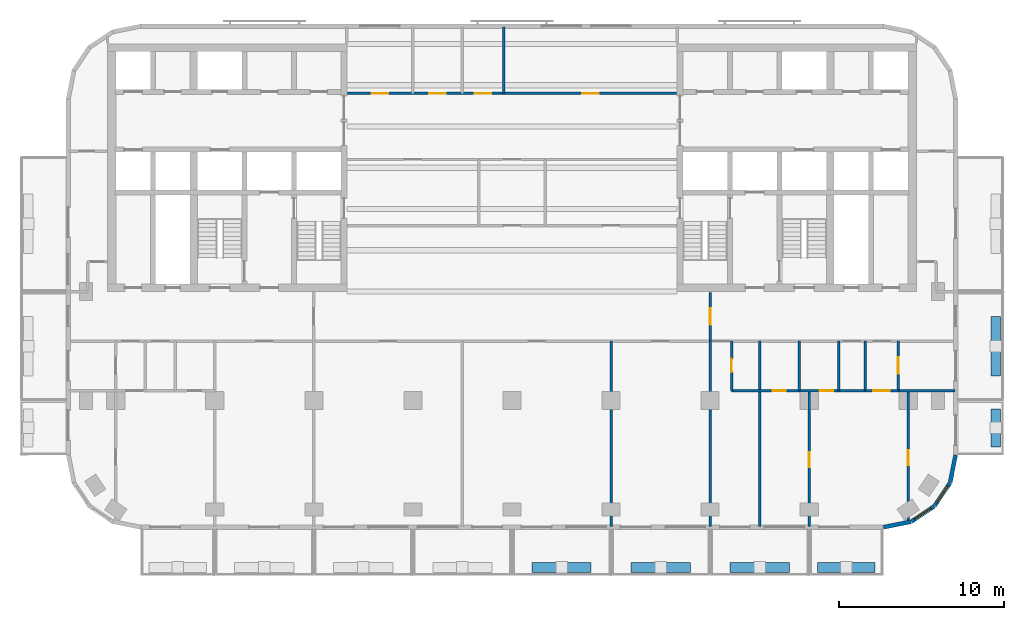
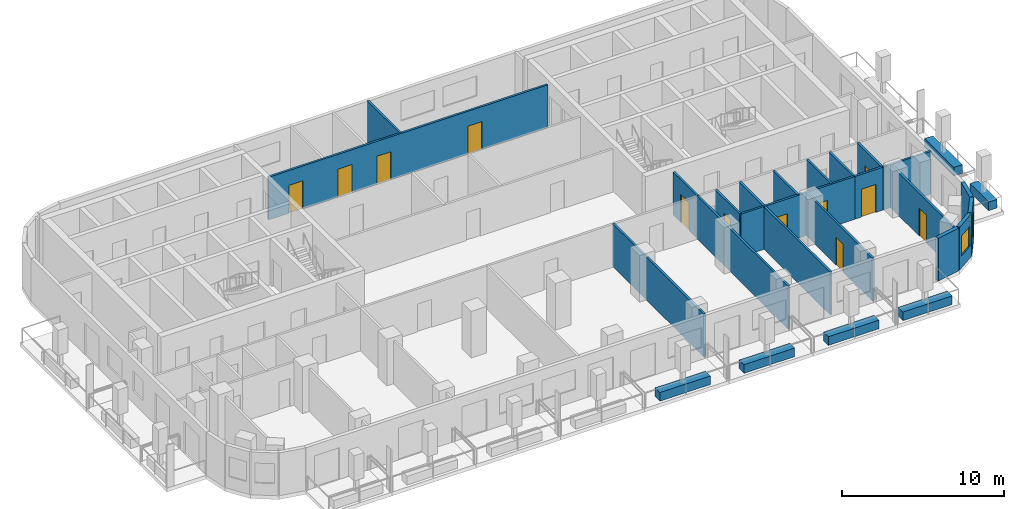
# One storey, part 5 of 11: 26 walls, 12 doors, 2 windows, 14 openings.
"""IFC4 building model written with IfcOpenShell, lengths in metres."""

from ifc_helpers import new_model, si_unit, direction, frame, frame_2d, origin, place, context, subcontext, project, spatial, rectangle, extrude, material, layer, layer_set, type_object, element, fill, save


model = new_model("IFC4")

# Units and contexts
model_context = context("Model", 3, precision=1e-05, world=origin(), true_north=direction((0.0, 1.0)))
body_context = subcontext(model_context, "Body", "Model", "MODEL_VIEW")
ifc_project = project(units=[si_unit("LENGTHUNIT", "METRE"), si_unit("AREAUNIT", "SQUARE_METRE"), si_unit("VOLUMEUNIT", "CUBIC_METRE"), si_unit("PLANEANGLEUNIT", "RADIAN"), si_unit("MASSUNIT", "GRAM", prefix="KILO")], contexts=[model_context])

# Site, building, storey
site_placement = place(None, origin())
site = spatial("IfcSite", under=ifc_project, at=site_placement, CompositionType="ELEMENT")
building_placement = place(site_placement, origin())
building = spatial("IfcBuilding", under=site, at=building_placement, Name="Torana Hotel and Residences", CompositionType="ELEMENT")
storey_placement = place(building_placement, frame((0.0, 0.0, 229.10009765625)))
storey = spatial("IfcBuildingStorey", under=building, at=storey_placement, Name="L60", CompositionType="ELEMENT", Elevation=229.10009765625)

# Wall
ifc_material_1 = material(Name="Black aluminium composite panel", Category="aluminium")
ifc_layer_1 = layer(ifc_material_1, 0.00390625, Name="Cladding", Category="cladding")
ifc_material_2 = material(Name="Ventilated air cavity")
ifc_layer_2 = layer(ifc_material_2, 0.0400390625, Name="Ventilated cavity", Category="cavity")
ifc_material_3 = material(Name="Mineral wool insulation")
ifc_layer_3 = layer(ifc_material_3, 0.090087890625, Name="Insulation", Category="insulation")
ifc_material_4 = material(Name="Steel S280GD", Category="steel")
ifc_layer_4 = layer(ifc_material_4, 0.092041015625, Name="Steel stud frame", Category="structure")
ifc_material_5 = material(Name="Fire rated plasterboard")
ifc_layer_5 = layer(ifc_material_5, 0.011962890625, Name="Inner board", Category="finish")
ifc_layer_6 = layer(ifc_material_5, 0.011962890625, Name="Second board", Category="finish")
ifc_layer_set_1 = layer_set([ifc_layer_1, ifc_layer_2, ifc_layer_3, ifc_layer_4, ifc_layer_5, ifc_layer_6], Name="EW1 EXTERNAL WALL BLACK METAL CLAD 250")
wall_type_1 = type_object("IfcWallType", Name="EW1 EXTERNAL WALL BLACK METAL CLAD 250", PredefinedType="SOLIDWALL", material=ifc_layer_set_1)
wall_1_placement = place(storey_placement, frame((22.499755859375, -29.272705078125, 0.0), z_axis=(0.0, 0.0, 1.0), x_axis=(0.980775640221, 0.19513878023, 0.0)))
element("IfcWall", 1, at=wall_1_placement, inside=storey, type_object=wall_type_1, Name="External wall L60 e0.15", PredefinedType="SOLIDWALL", context=body_context, shape_type="SweptSolid", body=[
    extrude(rectangle(XDim=1.681396484375, YDim=0.25, at=frame_2d((0.8408203125, 0.0))), origin(), (0.0, 0.0, 1.0), 3.219970703125),
])

# Wall, opening, window
wall_2_placement = place(storey_placement, frame((24.194091796875, -28.92578125, 0.0), z_axis=(0.0, 0.0, 1.0), x_axis=(0.831482937015, 0.55555029066, 0.0)))
wall_2 = element("IfcWall", 2, at=wall_2_placement, inside=storey, type_object=wall_type_1, Name="External wall L60 e0.16", PredefinedType="SOLIDWALL", context=body_context, shape_type="SweptSolid", body=[
    extrude(rectangle(XDim=1.65625, YDim=0.25, at=frame_2d((0.828125, 0.0))), origin(), (0.0, 0.0, 1.0), 3.219970703125),
])
opening_1_placement = place(wall_2_placement, frame((0.228271484375, 0.0, 0.89990234375)))
opening_1 = element("IfcOpeningElement", 3, at=opening_1_placement, cuts=wall_2, Name="Opening W5", PredefinedType="OPENING", context=body_context, shape_type="SweptSolid", body=[
    extrude(rectangle(XDim=1.199951171875, YDim=1.5, at=frame_2d((0.60009765625, 0.75))), frame((0.0, 0.135009765625, 0.0), z_axis=(0.0, -1.0, 0.0), x_axis=(1.0, 0.0, 0.0)), (0.0, 0.0, 1.0), 0.27001953125),
])
ifc_material_6 = material(Name="Dark glass in black aluminium frame", Category="aluminium")
window_type = type_object("IfcWindowType", Name="W5 CORNER FACET WINDOW 1200x1500", PartitioningType="SINGLE_PANEL", PredefinedType="WINDOW", material=ifc_material_6)
window_1_placement = place(opening_1_placement, origin())
window_1 = element("IfcWindow", 4, at=window_1_placement, inside=storey, type_object=window_type, Name="Window L60 e0.16", OverallHeight=1.5, OverallWidth=1.199951171875, PartitioningType="SINGLE_PANEL", PredefinedType="WINDOW", context=body_context, shape_type="SweptSolid", body=[
    extrude(rectangle(XDim=1.199951171875, YDim=1.5, at=frame_2d((0.60009765625, 0.75))), frame((0.0, 0.030029296875, 0.0), z_axis=(0.0, -1.0, 0.0), x_axis=(1.0, 0.0, 0.0)), (0.0, 0.0, 1.0), 0.06005859375),
])
fill(opening_1, window_1)

wall_3_placement = place(storey_placement, frame((25.605712890625, -27.97119140625, 0.0), z_axis=(0.0, 0.0, 1.0), x_axis=(0.55555029066, 0.831482937015, 0.0)))
wall_3 = element("IfcWall", 5, at=wall_3_placement, inside=storey, type_object=wall_type_1, Name="External wall L60 e0.17", PredefinedType="SOLIDWALL", context=body_context, shape_type="SweptSolid", body=[
    extrude(rectangle(XDim=1.65625, YDim=0.25, at=frame_2d((0.828125, 0.0))), origin(), (0.0, 0.0, 1.0), 3.219970703125),
])
opening_2_placement = place(wall_3_placement, frame((0.228271484375, 0.0, 0.89990234375)))
opening_2 = element("IfcOpeningElement", 6, at=opening_2_placement, cuts=wall_3, Name="Opening W5", PredefinedType="OPENING", context=body_context, shape_type="SweptSolid", body=[
    extrude(rectangle(XDim=1.199951171875, YDim=1.5, at=frame_2d((0.60009765625, 0.75))), frame((0.0, 0.135009765625, 0.0), z_axis=(0.0, -1.0, 0.0), x_axis=(1.0, 0.0, 0.0)), (0.0, 0.0, 1.0), 0.27001953125),
])
window_2_placement = place(opening_2_placement, origin())
window_2 = element("IfcWindow", 7, at=window_2_placement, inside=storey, type_object=window_type, Name="Window L60 e0.17", OverallHeight=1.5, OverallWidth=1.199951171875, PartitioningType="SINGLE_PANEL", PredefinedType="WINDOW", context=body_context, shape_type="SweptSolid", body=[
    extrude(rectangle(XDim=1.199951171875, YDim=1.5, at=frame_2d((0.60009765625, 0.75))), frame((0.0, 0.030029296875, 0.0), z_axis=(0.0, -1.0, 0.0), x_axis=(1.0, 0.0, 0.0)), (0.0, 0.0, 1.0), 0.06005859375),
])
fill(opening_2, window_2)

# Wall
wall_4_placement = place(storey_placement, frame((26.544677734375, -26.548828125, 0.0), z_axis=(0.0, 0.0, 1.0), x_axis=(0.195026884138, 0.980797896849, 0.0)))
element("IfcWall", 8, at=wall_4_placement, inside=storey, type_object=wall_type_1, Name="External wall L60 e0.18", PredefinedType="SOLIDWALL", context=body_context, shape_type="SweptSolid", body=[
    extrude(rectangle(XDim=1.68115234375, YDim=0.25, at=frame_2d((0.840576171875, 0.0))), origin(), (0.0, 0.0, 1.0), 3.219970703125),
])

# Wall, opening, door
ifc_material_7 = material(Name="Gypsum plaster")
ifc_layer_7 = layer(ifc_material_7, 0.014892578125, Name="Plaster", Category="finish")
ifc_material_8 = material(Name="Concrete blockwork", Category="masonry")
ifc_layer_8 = layer(ifc_material_8, 0.1201171875, Name="Blockwork", Category="structure")
ifc_layer_9 = layer(ifc_material_7, 0.014892578125, Name="Plaster", Category="finish")
ifc_layer_set_2 = layer_set([ifc_layer_7, ifc_layer_8, ifc_layer_9], Name="FIRE PARTITION 150 BLOCKWORK")
wall_type_2 = type_object("IfcWallType", Name="FIRE PARTITION 150 BLOCKWORK", PredefinedType="PARTITIONING", material=ifc_layer_set_2)
wall_5_placement = place(storey_placement, frame((23.39990234375, -21.0, 0.0), z_axis=(0.0, 0.0, 1.0), x_axis=(0.0, 1.0, 0.0)))
wall_5 = element("IfcWall", 9, at=wall_5_placement, inside=storey, type_object=wall_type_2, Name="Partition L60", PredefinedType="PARTITIONING", context=body_context, shape_type="SweptSolid", body=[
    extrude(rectangle(XDim=3.0, YDim=0.14990234375, at=frame_2d((1.5, 0.0))), origin(), (0.0, 0.0, 1.0), 3.219970703125),
])
opening_3_placement = place(wall_5_placement, frame((1.02001953125, 0.0, 0.0)))
opening_3 = element("IfcOpeningElement", 10, at=opening_3_placement, cuts=wall_5, Name="Opening L60-55", PredefinedType="OPENING", context=body_context, shape_type="SweptSolid", body=[
    extrude(rectangle(XDim=1.0, YDim=2.10009765625, at=frame_2d((0.5, 1.050048828125))), frame((0.0, 0.0849609375, 0.0), z_axis=(0.0, -1.0, 0.0), x_axis=(1.0, 0.0, 0.0)), (0.0, 0.0, 1.0), 0.169921875),
])
ifc_material_9 = material(Name="Steel S235", Category="steel")
door_type_1 = type_object("IfcDoorType", Name="ENTRY FIRE DOOR D6 1000x2100", OperationType="SINGLE_SWING_LEFT", PredefinedType="DOOR", material=ifc_material_9)
door_1_placement = place(opening_3_placement, frame((0.5, 0.0, 0.0), z_axis=(0.0, 0.0, 1.0), x_axis=(-1.0, 0.0, 0.0)))
door_1 = element("IfcDoor", 11, at=door_1_placement, inside=storey, type_object=door_type_1, Name="Door L60", OperationType="SINGLE_SWING_LEFT", OverallHeight=2.10009765625, OverallWidth=1.0, PredefinedType="DOOR", context=body_context, shape_type="SweptSolid", body=[
    extrude(rectangle(XDim=1.0, YDim=2.10009765625, at=frame_2d((0.0, 1.050048828125))), frame((0.0, -0.02490234375, 0.0), z_axis=(0.0, 1.0, 0.0), x_axis=(-1.0, 0.0, 0.0)), (0.0, 0.0, 1.0), 0.050048828125),
])
fill(opening_3, door_1)

# Wall
wall_6_placement = place(storey_placement, frame((21.39990234375, -21.0, 0.0), z_axis=(0.0, 0.0, 1.0), x_axis=(0.0, 1.0, 0.0)))
element("IfcWall", 12, at=wall_6_placement, inside=storey, type_object=wall_type_2, Name="Partition L60", PredefinedType="PARTITIONING", context=body_context, shape_type="SweptSolid", body=[
    extrude(rectangle(XDim=3.0, YDim=0.14990234375, at=frame_2d((1.5, 0.0))), origin(), (0.0, 0.0, 1.0), 3.219970703125),
])

# Wall, opening, door
wall_7_placement = place(storey_placement, frame((12.0, -18.0, 0.0), z_axis=(0.0, 0.0, 1.0), x_axis=(0.0, 1.0, 0.0)))
wall_7 = element("IfcWall", 13, at=wall_7_placement, inside=storey, type_object=wall_type_2, Name="Partition L60", PredefinedType="PARTITIONING", context=body_context, shape_type="SweptSolid", body=[
    extrude(rectangle(XDim=2.949951171875, YDim=0.14990234375, at=frame_2d((1.47509765625, 0.0))), origin(), (0.0, 0.0, 1.0), 3.219970703125),
])
opening_4_placement = place(wall_7_placement, frame((1.0, 0.0, 0.0)))
opening_4 = element("IfcOpeningElement", 14, at=opening_4_placement, cuts=wall_7, Name="Opening L60-32", PredefinedType="OPENING", context=body_context, shape_type="SweptSolid", body=[
    extrude(rectangle(XDim=1.0, YDim=2.10009765625, at=frame_2d((0.5, 1.050048828125))), frame((0.0, 0.0849609375, 0.0), z_axis=(0.0, -1.0, 0.0), x_axis=(1.0, 0.0, 0.0)), (0.0, 0.0, 1.0), 0.169921875),
])
door_2_placement = place(opening_4_placement, origin())
door_2 = element("IfcDoor", 15, at=door_2_placement, inside=storey, type_object=door_type_1, Name="Door L60", OperationType="SINGLE_SWING_RIGHT", OverallHeight=2.10009765625, OverallWidth=1.0, PredefinedType="DOOR", context=body_context, shape_type="SweptSolid", body=[
    extrude(rectangle(XDim=1.0, YDim=2.10009765625, at=frame_2d((0.5, 1.050048828125))), frame((0.0, 0.02490234375, 0.0), z_axis=(0.0, -1.0, 0.0), x_axis=(1.0, 0.0, 0.0)), (0.0, 0.0, 1.0), 0.050048828125),
])
fill(opening_4, door_2)

wall_8_placement = place(storey_placement, frame((21.39990234375, -21.0, 0.0), z_axis=(0.0, 0.0, 1.0), x_axis=(1.0, 0.0, 0.0)))
wall_8 = element("IfcWall", 16, at=wall_8_placement, inside=storey, type_object=wall_type_2, Name="Partition L60", PredefinedType="PARTITIONING", context=body_context, shape_type="SweptSolid", body=[
    extrude(rectangle(XDim=2.0, YDim=0.14990234375, at=frame_2d((1.0, 0.0))), origin(), (0.0, 0.0, 1.0), 3.219970703125),
])
opening_5_placement = place(wall_8_placement, frame((0.47998046875, 0.0, 0.0)))
opening_5 = element("IfcOpeningElement", 17, at=opening_5_placement, cuts=wall_8, Name="Opening L60-56", PredefinedType="OPENING", context=body_context, shape_type="SweptSolid", body=[
    extrude(rectangle(XDim=1.0, YDim=2.10009765625, at=frame_2d((0.5, 1.050048828125))), frame((0.0, 0.0849609375, 0.0), z_axis=(0.0, -1.0, 0.0), x_axis=(1.0, 0.0, 0.0)), (0.0, 0.0, 1.0), 0.169921875),
])
door_3_placement = place(opening_5_placement, frame((0.5, 0.0, 0.0), z_axis=(0.0, 0.0, 1.0), x_axis=(-1.0, 0.0, 0.0)))
door_3 = element("IfcDoor", 18, at=door_3_placement, inside=storey, type_object=door_type_1, Name="Door L60", OperationType="SINGLE_SWING_RIGHT", OverallHeight=2.10009765625, OverallWidth=1.0, PredefinedType="DOOR", context=body_context, shape_type="SweptSolid", body=[
    extrude(rectangle(XDim=1.0, YDim=2.10009765625, at=frame_2d((0.0, 1.050048828125))), frame((0.0, -0.02490234375, 0.0), z_axis=(0.0, 1.0, 0.0), x_axis=(-1.0, 0.0, 0.0)), (0.0, 0.0, 1.0), 0.050048828125),
])
fill(opening_5, door_3)

# Wall, openings, doors
wall_9_placement = place(storey_placement, frame((-9.949951171875, -3.0, 0.0), z_axis=(0.0, 0.0, 1.0), x_axis=(1.0, 0.0, 0.0)))
wall_9 = element("IfcWall", 19, at=wall_9_placement, inside=storey, type_object=wall_type_2, Name="Partition L60", PredefinedType="PARTITIONING", context=body_context, shape_type="SweptSolid", body=[
    extrude(rectangle(XDim=19.89990234375, YDim=0.14990234375, at=frame_2d((9.949951171875, 0.0))), origin(), (0.0, 0.0, 1.0), 3.219970703125),
])
opening_6_placement = place(wall_9_placement, frame((1.449951171875, 0.0, 0.0)))
opening_6 = element("IfcOpeningElement", 20, at=opening_6_placement, cuts=wall_9, Name="Opening L60-44", PredefinedType="OPENING", context=body_context, shape_type="SweptSolid", body=[
    extrude(rectangle(XDim=1.0, YDim=2.10009765625, at=frame_2d((0.5, 1.050048828125))), frame((0.0, 0.0849609375, 0.0), z_axis=(0.0, -1.0, 0.0), x_axis=(1.0, 0.0, 0.0)), (0.0, 0.0, 1.0), 0.169921875),
])
opening_7_placement = place(wall_9_placement, frame((4.949951171875, 0.0, 0.0)))
opening_7 = element("IfcOpeningElement", 21, at=opening_7_placement, cuts=wall_9, Name="Opening L60-45", PredefinedType="OPENING", context=body_context, shape_type="SweptSolid", body=[
    extrude(rectangle(XDim=1.0, YDim=2.10009765625, at=frame_2d((0.5, 1.050048828125))), frame((0.0, 0.0849609375, 0.0), z_axis=(0.0, -1.0, 0.0), x_axis=(1.0, 0.0, 0.0)), (0.0, 0.0, 1.0), 0.169921875),
])
opening_8_placement = place(wall_9_placement, frame((7.699951171875, 0.0, 0.0)))
opening_8 = element("IfcOpeningElement", 22, at=opening_8_placement, cuts=wall_9, Name="Opening L60-46", PredefinedType="OPENING", context=body_context, shape_type="SweptSolid", body=[
    extrude(rectangle(XDim=1.0, YDim=2.10009765625, at=frame_2d((0.5, 1.050048828125))), frame((0.0, 0.0849609375, 0.0), z_axis=(0.0, -1.0, 0.0), x_axis=(1.0, 0.0, 0.0)), (0.0, 0.0, 1.0), 0.169921875),
])
opening_9_placement = place(wall_9_placement, frame((14.199951171875, 0.0, 0.0)))
opening_9 = element("IfcOpeningElement", 23, at=opening_9_placement, cuts=wall_9, Name="Opening L60-47", PredefinedType="OPENING", context=body_context, shape_type="SweptSolid", body=[
    extrude(rectangle(XDim=1.0, YDim=2.10009765625, at=frame_2d((0.5, 1.050048828125))), frame((0.0, 0.0849609375, 0.0), z_axis=(0.0, -1.0, 0.0), x_axis=(1.0, 0.0, 0.0)), (0.0, 0.0, 1.0), 0.169921875),
])
door_4_placement = place(opening_6_placement, origin())
door_4 = element("IfcDoor", 24, at=door_4_placement, inside=storey, type_object=door_type_1, Name="Door L60", OperationType="SINGLE_SWING_RIGHT", OverallHeight=2.10009765625, OverallWidth=1.0, PredefinedType="DOOR", context=body_context, shape_type="SweptSolid", body=[
    extrude(rectangle(XDim=1.0, YDim=2.10009765625, at=frame_2d((0.5, 1.050048828125))), frame((0.0, 0.02490234375, 0.0), z_axis=(0.0, -1.0, 0.0), x_axis=(1.0, 0.0, 0.0)), (0.0, 0.0, 1.0), 0.050048828125),
])
fill(opening_6, door_4)
door_5_placement = place(opening_7_placement, origin())
door_5 = element("IfcDoor", 25, at=door_5_placement, inside=storey, type_object=door_type_1, Name="Door L60", OperationType="SINGLE_SWING_RIGHT", OverallHeight=2.10009765625, OverallWidth=1.0, PredefinedType="DOOR", context=body_context, shape_type="SweptSolid", body=[
    extrude(rectangle(XDim=1.0, YDim=2.10009765625, at=frame_2d((0.5, 1.050048828125))), frame((0.0, 0.02490234375, 0.0), z_axis=(0.0, -1.0, 0.0), x_axis=(1.0, 0.0, 0.0)), (0.0, 0.0, 1.0), 0.050048828125),
])
fill(opening_7, door_5)
door_6_placement = place(opening_8_placement, origin())
door_6 = element("IfcDoor", 26, at=door_6_placement, inside=storey, type_object=door_type_1, Name="Door L60", OperationType="SINGLE_SWING_RIGHT", OverallHeight=2.10009765625, OverallWidth=1.0, PredefinedType="DOOR", context=body_context, shape_type="SweptSolid", body=[
    extrude(rectangle(XDim=1.0, YDim=2.10009765625, at=frame_2d((0.5, 1.050048828125))), frame((0.0, 0.02490234375, 0.0), z_axis=(0.0, -1.0, 0.0), x_axis=(1.0, 0.0, 0.0)), (0.0, 0.0, 1.0), 0.050048828125),
])
fill(opening_8, door_6)
door_7_placement = place(opening_9_placement, origin())
door_7 = element("IfcDoor", 27, at=door_7_placement, inside=storey, type_object=door_type_1, Name="Door L60", OperationType="SINGLE_SWING_RIGHT", OverallHeight=2.10009765625, OverallWidth=1.0, PredefinedType="DOOR", context=body_context, shape_type="SweptSolid", body=[
    extrude(rectangle(XDim=1.0, YDim=2.10009765625, at=frame_2d((0.5, 1.050048828125))), frame((0.0, 0.02490234375, 0.0), z_axis=(0.0, -1.0, 0.0), x_axis=(1.0, 0.0, 0.0)), (0.0, 0.0, 1.0), 0.050048828125),
])
fill(opening_9, door_7)

# Wall, opening, door
ifc_material_10 = material(Name="Gypsum plasterboard")
ifc_layer_10 = layer(ifc_material_10, 0.012451171875, Name="Plasterboard", Category="finish")
ifc_layer_11 = layer(ifc_material_10, 0.012451171875, Name="Plasterboard", Category="finish")
ifc_layer_12 = layer(ifc_material_4, 0.10009765625, Name="Steel studs with mineral wool", Category="insulation")
ifc_layer_13 = layer(ifc_material_10, 0.012451171875, Name="Plasterboard", Category="finish")
ifc_layer_14 = layer(ifc_material_10, 0.012451171875, Name="Plasterboard", Category="finish")
ifc_layer_set_3 = layer_set([ifc_layer_10, ifc_layer_11, ifc_layer_12, ifc_layer_13, ifc_layer_14], Name="PARTITION 150 PLASTERBOARD")
wall_type_3 = type_object("IfcWallType", Name="PARTITION 150 PLASTERBOARD", PredefinedType="PARTITIONING", material=ifc_layer_set_3)
wall_10_placement = place(storey_placement, frame((24.0, -28.918212890625, 0.0), z_axis=(0.0, 0.0, 1.0), x_axis=(0.0, 1.0, 0.0)))
wall_10 = element("IfcWall", 28, at=wall_10_placement, inside=storey, type_object=wall_type_3, Name="Partition L60", PredefinedType="PARTITIONING", context=body_context, shape_type="SweptSolid", body=[
    extrude(rectangle(XDim=7.918212890625, YDim=0.14990234375, at=frame_2d((3.958984375, 0.0))), origin(), (0.0, 0.0, 1.0), 3.219970703125),
])
opening_10_placement = place(wall_10_placement, frame((3.398193359375, 0.0, 0.0)))
opening_10 = element("IfcOpeningElement", 29, at=opening_10_placement, cuts=wall_10, Name="Opening L60-58", PredefinedType="OPENING", context=body_context, shape_type="SweptSolid", body=[
    extrude(rectangle(XDim=0.89990234375, YDim=2.10009765625, at=frame_2d((0.449951171875, 1.050048828125))), frame((0.0, 0.0849609375, 0.0), z_axis=(0.0, -1.0, 0.0), x_axis=(1.0, 0.0, 0.0)), (0.0, 0.0, 1.0), 0.169921875),
])
ifc_material_11 = material(Name="Timber door, oiled ash", Category="wood")
door_type_2 = type_object("IfcDoorType", Name="ROOM DOOR D7 900x2100", OperationType="SINGLE_SWING_LEFT", PredefinedType="DOOR", material=ifc_material_11)
door_8_placement = place(opening_10_placement, origin())
door_8 = element("IfcDoor", 30, at=door_8_placement, inside=storey, type_object=door_type_2, Name="Door L60", OperationType="SINGLE_SWING_RIGHT", OverallHeight=2.10009765625, OverallWidth=0.89990234375, PredefinedType="DOOR", context=body_context, shape_type="SweptSolid", body=[
    extrude(rectangle(XDim=0.89990234375, YDim=2.10009765625, at=frame_2d((0.449951171875, 1.050048828125))), frame((0.0, 0.02490234375, 0.0), z_axis=(0.0, -1.0, 0.0), x_axis=(1.0, 0.0, 0.0)), (0.0, 0.0, 1.0), 0.050048828125),
])
fill(opening_10, door_8)

# Wall
wall_11_placement = place(storey_placement, frame((19.800048828125, -21.0, 0.0), z_axis=(0.0, 0.0, 1.0), x_axis=(0.0, 1.0, 0.0)))
element("IfcWall", 31, at=wall_11_placement, inside=storey, type_object=wall_type_3, Name="Partition L60", PredefinedType="PARTITIONING", context=body_context, shape_type="SweptSolid", body=[
    extrude(rectangle(XDim=3.0, YDim=0.14990234375, at=frame_2d((1.5, 0.0))), origin(), (0.0, 0.0, 1.0), 3.219970703125),
])

# Wall, opening, door
wall_12_placement = place(storey_placement, frame((18.0, -29.219970703125, 0.0), z_axis=(0.0, 0.0, 1.0), x_axis=(0.0, 1.0, 0.0)))
wall_12 = element("IfcWall", 32, at=wall_12_placement, inside=storey, type_object=wall_type_3, Name="Partition L60", PredefinedType="PARTITIONING", context=body_context, shape_type="SweptSolid", body=[
    extrude(rectangle(XDim=8.219970703125, YDim=0.14990234375, at=frame_2d((4.10986328125, 0.0))), origin(), (0.0, 0.0, 1.0), 3.219970703125),
])
opening_11_placement = place(wall_12_placement, frame((3.590087890625, 0.0, 0.0)))
opening_11 = element("IfcOpeningElement", 33, at=opening_11_placement, cuts=wall_12, Name="Opening L60-57", PredefinedType="OPENING", context=body_context, shape_type="SweptSolid", body=[
    extrude(rectangle(XDim=0.89990234375, YDim=2.10009765625, at=frame_2d((0.449951171875, 1.050048828125))), frame((0.0, 0.0849609375, 0.0), z_axis=(0.0, -1.0, 0.0), x_axis=(1.0, 0.0, 0.0)), (0.0, 0.0, 1.0), 0.169921875),
])
door_9_placement = place(opening_11_placement, origin())
door_9 = element("IfcDoor", 34, at=door_9_placement, inside=storey, type_object=door_type_2, Name="Door L60", OperationType="SINGLE_SWING_RIGHT", OverallHeight=2.10009765625, OverallWidth=0.89990234375, PredefinedType="DOOR", context=body_context, shape_type="SweptSolid", body=[
    extrude(rectangle(XDim=0.89990234375, YDim=2.10009765625, at=frame_2d((0.449951171875, 1.050048828125))), frame((0.0, 0.02490234375, 0.0), z_axis=(0.0, -1.0, 0.0), x_axis=(1.0, 0.0, 0.0)), (0.0, 0.0, 1.0), 0.050048828125),
])
fill(opening_11, door_9)

# Walls
wall_13_placement = place(storey_placement, frame((17.39990234375, -21.0, 0.0), z_axis=(0.0, 0.0, 1.0), x_axis=(0.0, 1.0, 0.0)))
element("IfcWall", 35, at=wall_13_placement, inside=storey, type_object=wall_type_3, Name="Partition L60", PredefinedType="PARTITIONING", context=body_context, shape_type="SweptSolid", body=[
    extrude(rectangle(XDim=3.0, YDim=0.14990234375, at=frame_2d((1.5, 0.0))), origin(), (0.0, 0.0, 1.0), 3.219970703125),
])
wall_14_placement = place(storey_placement, frame((15.0, -29.219970703125, 0.0), z_axis=(0.0, 0.0, 1.0), x_axis=(0.0, 1.0, 0.0)))
element("IfcWall", 36, at=wall_14_placement, inside=storey, type_object=wall_type_3, Name="Partition L60", PredefinedType="PARTITIONING", context=body_context, shape_type="SweptSolid", body=[
    extrude(rectangle(XDim=11.219970703125, YDim=0.14990234375, at=frame_2d((5.60986328125, 0.0))), origin(), (0.0, 0.0, 1.0), 3.219970703125),
])

# Wall, opening, door
wall_15_placement = place(storey_placement, frame((13.300048828125, -21.0, 0.0), z_axis=(0.0, 0.0, 1.0), x_axis=(0.0, 1.0, 0.0)))
wall_15 = element("IfcWall", 37, at=wall_15_placement, inside=storey, type_object=wall_type_3, Name="Partition L60", PredefinedType="PARTITIONING", context=body_context, shape_type="SweptSolid", body=[
    extrude(rectangle(XDim=3.0, YDim=0.14990234375, at=frame_2d((1.5, 0.0))), origin(), (0.0, 0.0, 1.0), 3.219970703125),
])
opening_12_placement = place(wall_15_placement, frame((1.1201171875, 0.0, 0.0)))
opening_12 = element("IfcOpeningElement", 38, at=opening_12_placement, cuts=wall_15, Name="Opening L60-48", PredefinedType="OPENING", context=body_context, shape_type="SweptSolid", body=[
    extrude(rectangle(XDim=0.800048828125, YDim=2.10009765625, at=frame_2d((0.39990234375, 1.050048828125))), frame((0.0, 0.0849609375, 0.0), z_axis=(0.0, -1.0, 0.0), x_axis=(1.0, 0.0, 0.0)), (0.0, 0.0, 1.0), 0.169921875),
])
ifc_material_12 = material(Name="Timber door, painted", Category="wood")
door_type_3 = type_object("IfcDoorType", Name="BATH DOOR D13 800x2100", OperationType="SINGLE_SWING_LEFT", PredefinedType="DOOR", material=ifc_material_12)
door_10_placement = place(opening_12_placement, origin())
door_10 = element("IfcDoor", 39, at=door_10_placement, inside=storey, type_object=door_type_3, Name="Door L60", OperationType="SINGLE_SWING_LEFT", OverallHeight=2.10009765625, OverallWidth=0.800048828125, PredefinedType="DOOR", context=body_context, shape_type="SweptSolid", body=[
    extrude(rectangle(XDim=0.800048828125, YDim=2.10009765625, at=frame_2d((0.39990234375, 1.050048828125))), frame((0.0, 0.02490234375, 0.0), z_axis=(0.0, -1.0, 0.0), x_axis=(1.0, 0.0, 0.0)), (0.0, 0.0, 1.0), 0.050048828125),
])
fill(opening_12, door_10)

# Walls
for number, where, z_axis, x_axis, name in (
    (40, (12.0, -29.219970703125, 0.0), (0.0, 0.0, 1.0), (0.0, 1.0, 0.0), "Partition L60"),
    (41, (6.0, -29.219970703125, 0.0), (0.0, 0.0, 1.0), (0.0, 1.0, 0.0), "Partition L60"),
):
    element("IfcWall", number, at=place(storey_placement, frame(where, z_axis=z_axis, x_axis=x_axis)), inside=storey, type_object=wall_type_3, Name=name, PredefinedType="PARTITIONING", context=body_context, shape_type="SweptSolid", body=[
        extrude(rectangle(XDim=11.219970703125, YDim=0.14990234375, at=frame_2d((5.60986328125, 0.0))), origin(), (0.0, 0.0, 1.0), 3.219970703125),
    ])

# Wall, openings, doors
wall_16_placement = place(storey_placement, frame((13.300048828125, -21.0, 0.0), z_axis=(0.0, 0.0, 1.0), x_axis=(1.0, 0.0, 0.0)))
wall_16 = element("IfcWall", 42, at=wall_16_placement, inside=storey, type_object=wall_type_3, Name="Partition L60", PredefinedType="PARTITIONING", context=body_context, shape_type="SweptSolid", body=[
    extrude(rectangle(XDim=8.099853515625, YDim=0.14990234375, at=frame_2d((4.0498046875, 0.0))), origin(), (0.0, 0.0, 1.0), 3.219970703125),
])
opening_13_placement = place(wall_16_placement, frame((2.47998046875, 0.0, 0.0)))
opening_13 = element("IfcOpeningElement", 43, at=opening_13_placement, cuts=wall_16, Name="Opening L60-53", PredefinedType="OPENING", context=body_context, shape_type="SweptSolid", body=[
    extrude(rectangle(XDim=0.800048828125, YDim=2.10009765625, at=frame_2d((0.39990234375, 1.050048828125))), frame((0.0, 0.0849609375, 0.0), z_axis=(0.0, -1.0, 0.0), x_axis=(1.0, 0.0, 0.0)), (0.0, 0.0, 1.0), 0.169921875),
])
opening_14_placement = place(wall_16_placement, frame((5.35009765625, 0.0, 0.0)))
opening_14 = element("IfcOpeningElement", 44, at=opening_14_placement, cuts=wall_16, Name="Opening L60-54", PredefinedType="OPENING", context=body_context, shape_type="SweptSolid", body=[
    extrude(rectangle(XDim=0.800048828125, YDim=2.10009765625, at=frame_2d((0.39990234375, 1.050048828125))), frame((0.0, 0.0849609375, 0.0), z_axis=(0.0, -1.0, 0.0), x_axis=(1.0, 0.0, 0.0)), (0.0, 0.0, 1.0), 0.169921875),
])
door_11_placement = place(opening_13_placement, origin())
door_11 = element("IfcDoor", 45, at=door_11_placement, inside=storey, type_object=door_type_3, Name="Door L60", OperationType="SINGLE_SWING_RIGHT", OverallHeight=2.10009765625, OverallWidth=0.800048828125, PredefinedType="DOOR", context=body_context, shape_type="SweptSolid", body=[
    extrude(rectangle(XDim=0.800048828125, YDim=2.10009765625, at=frame_2d((0.39990234375, 1.050048828125))), frame((0.0, 0.02490234375, 0.0), z_axis=(0.0, -1.0, 0.0), x_axis=(1.0, 0.0, 0.0)), (0.0, 0.0, 1.0), 0.050048828125),
])
fill(opening_13, door_11)
door_12_placement = place(opening_14_placement, origin())
door_12 = element("IfcDoor", 46, at=door_12_placement, inside=storey, type_object=door_type_3, Name="Door L60", OperationType="SINGLE_SWING_LEFT", OverallHeight=2.10009765625, OverallWidth=0.800048828125, PredefinedType="DOOR", context=body_context, shape_type="SweptSolid", body=[
    extrude(rectangle(XDim=0.800048828125, YDim=2.10009765625, at=frame_2d((0.39990234375, 1.050048828125))), frame((0.0, 0.02490234375, 0.0), z_axis=(0.0, -1.0, 0.0), x_axis=(1.0, 0.0, 0.0)), (0.0, 0.0, 1.0), 0.050048828125),
])
fill(opening_14, door_12)

# Walls
wall_17_placement = place(storey_placement, frame((23.39990234375, -21.0, 0.0), z_axis=(0.0, 0.0, 1.0), x_axis=(1.0, 0.0, 0.0)))
element("IfcWall", 47, at=wall_17_placement, inside=storey, type_object=wall_type_3, Name="Partition L60", PredefinedType="PARTITIONING", context=body_context, shape_type="SweptSolid", body=[
    extrude(rectangle(XDim=3.420166015625, YDim=0.14990234375, at=frame_2d((1.7099609375, 0.0))), origin(), (0.0, 0.0, 1.0), 3.219970703125),
])
ifc_material_13 = material(Name="Concrete C40/50 precast", Category="concrete")
ifc_layer_15 = layer(ifc_material_13, 0.10009765625, Name="Planter shell", Category="structure")
ifc_material_14 = material(Name="Root resistant membrane")
ifc_layer_16 = layer(ifc_material_14, 0.00390625, Name="Waterproofing membrane", Category="membrane")
ifc_material_15 = material(Name="Drainage board with filter fleece")
ifc_layer_17 = layer(ifc_material_15, 0.02001953125, Name="Drainage board", Category="drainage")
ifc_material_16 = material(Name="Growing medium")
ifc_layer_18 = layer(ifc_material_16, 0.47607421875, Name="Planting substrate", Category="soil")
ifc_layer_set_4 = layer_set([ifc_layer_15, ifc_layer_16, ifc_layer_17, ifc_layer_18], Name="PL1 BALCONY PLANTER 600")
wall_type_4 = type_object("IfcWallType", Name="PL1 BALCONY PLANTER 600", PredefinedType="USERDEFINED", material=ifc_layer_set_4)
for number, where, z_axis, x_axis, name in (
    (48, (4.800048828125, -31.699951171875, 0.0), (0.0, 0.0, 1.0), (-1.0, 0.0, 0.0), "Planter 05"),
    (49, (10.800048828125, -31.699951171875, 0.0), (0.0, 0.0, 1.0), (-1.0, 0.0, 0.0), "Planter 06"),
    (50, (16.800048828125, -31.699951171875, 0.0), (0.0, 0.0, 1.0), (-1.0, 0.0, 0.0), "Planter 07"),
):
    element("IfcWall", number, at=place(storey_placement, frame(where, z_axis=z_axis, x_axis=x_axis)), inside=storey, type_object=wall_type_4, Name=name, ObjectType="PLANTER", PredefinedType="USERDEFINED", context=body_context, shape_type="SweptSolid", body=[
        extrude(rectangle(XDim=3.60009765625, YDim=0.60009765625, at=frame_2d((1.800048828125, 0.0))), origin(), (0.0, 0.0, 1.0), 0.64990234375),
    ])
wall_18_placement = place(storey_placement, frame((22.0, -31.699951171875, 0.0), z_axis=(0.0, 0.0, 1.0), x_axis=(-1.0, 0.0, 0.0)))
element("IfcWall", 51, at=wall_18_placement, inside=storey, type_object=wall_type_4, Name="Planter 08", ObjectType="PLANTER", PredefinedType="USERDEFINED", context=body_context, shape_type="SweptSolid", body=[
    extrude(rectangle(XDim=3.5, YDim=0.60009765625, at=frame_2d((1.75, 0.0))), origin(), (0.0, 0.0, 1.0), 0.64990234375),
])
wall_19_placement = place(storey_placement, frame((29.300048828125, -22.10009765625, 0.0), z_axis=(0.0, 0.0, 1.0), x_axis=(0.0, -1.0, 0.0)))
element("IfcWall", 52, at=wall_19_placement, inside=storey, type_object=wall_type_4, Name="Planter 12", ObjectType="PLANTER", PredefinedType="USERDEFINED", context=body_context, shape_type="SweptSolid", body=[
    extrude(rectangle(XDim=2.2998046875, YDim=0.60009765625, at=frame_2d((1.14990234375, 0.0))), origin(), (0.0, 0.0, 1.0), 0.64990234375),
])
wall_20_placement = place(storey_placement, frame((29.300048828125, -16.5, 0.0), z_axis=(0.0, 0.0, 1.0), x_axis=(0.0, -1.0, 0.0)))
element("IfcWall", 53, at=wall_20_placement, inside=storey, type_object=wall_type_4, Name="Planter 13", ObjectType="PLANTER", PredefinedType="USERDEFINED", context=body_context, shape_type="SweptSolid", body=[
    extrude(rectangle(XDim=3.60009765625, YDim=0.60009765625, at=frame_2d((1.800048828125, 0.0))), origin(), (0.0, 0.0, 1.0), 0.64990234375),
])
ifc_material_17 = material(Name="Ceramic tile on adhesive")
ifc_layer_19 = layer(ifc_material_17, 0.010009765625, Name="Wall tile", Category="finish")
ifc_material_18 = material(Name="Cement render")
ifc_layer_20 = layer(ifc_material_18, 0.010009765625, Name="Render", Category="finish")
ifc_layer_21 = layer(ifc_material_8, 0.110107421875, Name="Blockwork", Category="structure")
ifc_layer_22 = layer(ifc_material_18, 0.010009765625, Name="Render", Category="finish")
ifc_layer_23 = layer(ifc_material_17, 0.010009765625, Name="Wall tile", Category="finish")
ifc_layer_set_5 = layer_set([ifc_layer_19, ifc_layer_20, ifc_layer_21, ifc_layer_22, ifc_layer_23], Name="WC PARTITION 150")
wall_type_5 = type_object("IfcWallType", Name="WC PARTITION 150", PredefinedType="PLUMBINGWALL", material=ifc_layer_set_5)
wall_21_placement = place(storey_placement, frame((-0.5, -3.0, 0.0), z_axis=(0.0, 0.0, 1.0), x_axis=(0.0, 1.0, 0.0)))
element("IfcWall", 54, at=wall_21_placement, inside=storey, type_object=wall_type_5, Name="Partition L60", PredefinedType="PLUMBINGWALL", context=body_context, shape_type="SweptSolid", body=[
    extrude(rectangle(XDim=4.02001953125, YDim=0.14990234375, at=frame_2d((2.010009765625, 0.0))), origin(), (0.0, 0.0, 1.0), 3.219970703125),
])

save(model, "model.ifc")
